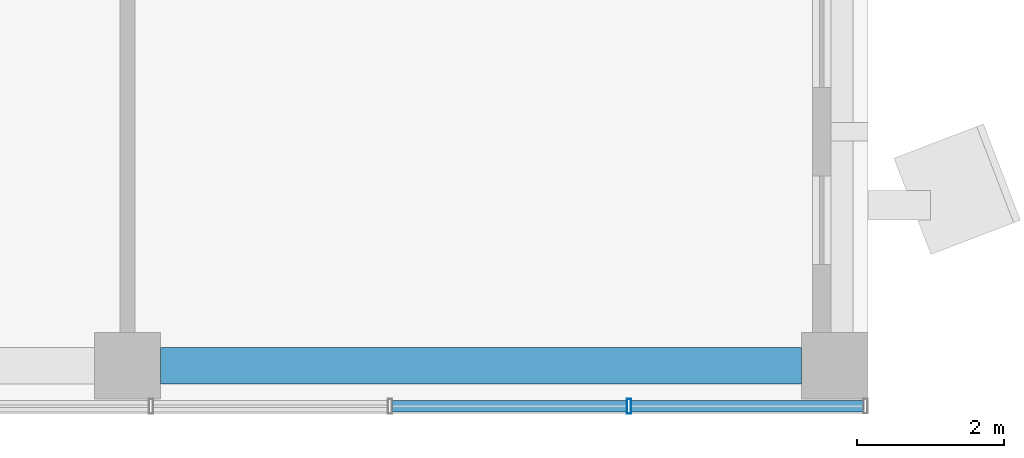
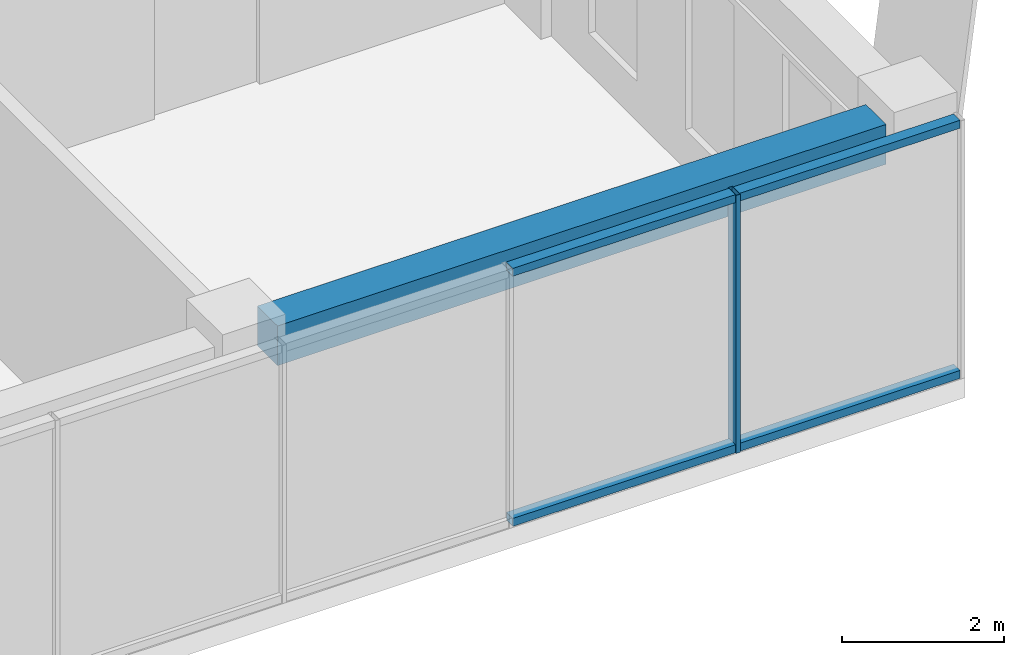
# One storey, part 12 of 38: 5 members, 1 beam, 1 element without a shape of its own.
"""IFC4 building model written with IfcOpenShell, lengths in metres."""

from ifc_helpers import new_model, si_unit, direction, frame, origin, origin_2d, place, context, subcontext, project, spatial, rectangle, hollow_rectangle, extrude, material, layer, layer_set, material_profile, profile_set, type_object, element, aggregate, save


model = new_model("IFC4")

# Units and contexts
model_context = context("Model", 3, precision=1e-05, world=origin(), true_north=direction((0.0, 1.0)))
body_context = subcontext(model_context, "Body", "Model", "MODEL_VIEW")
ifc_project = project(units=[si_unit("LENGTHUNIT", "METRE"), si_unit("AREAUNIT", "SQUARE_METRE"), si_unit("VOLUMEUNIT", "CUBIC_METRE"), si_unit("PLANEANGLEUNIT", "RADIAN"), si_unit("MASSUNIT", "GRAM", prefix="KILO")], contexts=[model_context])

# Site, building, storey
site_placement = place(None, origin())
site = spatial("IfcSite", under=ifc_project, at=site_placement, CompositionType="ELEMENT")
building_placement = place(site_placement, origin())
building = spatial("IfcBuilding", under=site, at=building_placement, Name="Nzadi Deep Aquarium and Research Tower", CompositionType="ELEMENT")
storey_placement = place(building_placement, frame((0.0, 0.0, 52.89990234375)))
storey = spatial("IfcBuildingStorey", under=building, at=storey_placement, Name="L10", CompositionType="ELEMENT", Elevation=52.89990234375)

# Curtain wall, member
ifc_material_1 = material(Name="Aluminium unitised frame", Category="aluminium")
ifc_layer = layer(ifc_material_1, 0.199951171875)
ifc_layer_set = layer_set([ifc_layer], Name="Aluminium unitised frame")
curtain_wall_type = type_object("IfcCurtainWallType", Name="Curtain wall Unitised 200", PredefinedType="NOTDEFINED", material=ifc_layer_set)
curtain_wall_placement = place(storey_placement, origin())
curtain_wall = element("IfcCurtainWall", 1, at=curtain_wall_placement, inside=storey, type_object=curtain_wall_type, Name="Unitised curtain wall blade A south L10", PredefinedType="NOTDEFINED")
ifc_material_2 = material(Name="Aluminium unitised frame", Category="aluminium")
ifc_material_profile_1 = material_profile(ifc_material_2, hollow_rectangle(XDim=0.199951171875, YDim=0.06005859375, WallThickness=0.0048828125, at=origin_2d()))
ifc_profile_set_1 = profile_set([ifc_material_profile_1], Name="Aluminium unitised frame")
member_type_1 = type_object("IfcMemberType", Name="Mullion 60x200 Unitised", PredefinedType="MULLION", material=ifc_profile_set_1)
member_1_placement = place(storey_placement, frame((45.206787109375, -0.10009765625, 0.0), z_axis=(0.0, 0.0, 1.0), x_axis=(0.0, 1.0, 0.0)))
member_1 = element("IfcMember", 2, at=member_1_placement, type_object=member_type_1, Name="CW036 mullion 15", PredefinedType="MULLION", context=body_context, shape_type="SweptSolid", body=[
    extrude(hollow_rectangle(XDim=0.199951171875, YDim=0.06005859375, WallThickness=0.0048828125, at=origin_2d()), origin(), (0.0, 0.0, 1.0), 3.900146484375),
])

# Beam
ifc_material_3 = material(Name="Concrete C35/45", Category="concrete")
ifc_material_profile_2 = material_profile(ifc_material_3, rectangle(XDim=0.5, YDim=0.60009765625, at=origin_2d()))
ifc_profile_set_2 = profile_set([ifc_material_profile_2], Name="Concrete C35/45")
beam_type = type_object("IfcBeamType", Name="RC 500x600", PredefinedType="BEAM", material=ifc_profile_set_2)
beam_placement = place(storey_placement, frame((38.85009765625, 0.449951171875, 3.60009765625), z_axis=(1.0, 0.0, 0.0), x_axis=(0.0, 1.0, 0.0)))
element("IfcBeam", 3, at=beam_placement, inside=storey, type_object=beam_type, Name="B-Z1-L10-L1-5", PredefinedType="BEAM", context=body_context, shape_type="SweptSolid", body=[
    extrude(rectangle(XDim=0.5, YDim=0.60009765625, at=origin_2d()), origin(), (0.0, 0.0, 1.0), 8.699951171875),
])

# Member
ifc_material_4 = material(Name="Aluminium unitised frame", Category="aluminium")
ifc_material_profile_3 = material_profile(ifc_material_4, hollow_rectangle(XDim=0.159912109375, YDim=0.1201171875, WallThickness=0.0048828125, at=origin_2d()))
ifc_profile_set_3 = profile_set([ifc_material_profile_3], Name="Aluminium unitised frame")
member_type_2 = type_object("IfcMemberType", Name="Transom 120x160 Unitised", PredefinedType="MULLION", material=ifc_profile_set_3)
member_2_placement = place(storey_placement, frame((41.993408203125, -0.10009765625, 0.06005859375), z_axis=(1.0, 0.0, 0.0), x_axis=(0.0, 1.0, 0.0)))
member_2 = element("IfcMember", 4, at=member_2_placement, type_object=member_type_2, Name="CW036 transom 14.1", PredefinedType="MULLION", context=body_context, shape_type="SweptSolid", body=[
    extrude(hollow_rectangle(XDim=0.159912109375, YDim=0.1201171875, WallThickness=0.0048828125, at=origin_2d()), origin(), (0.0, 0.0, 1.0), 3.183349609375),
])

member_3_placement = place(storey_placement, frame((41.993408203125, -0.10009765625, 3.840087890625), z_axis=(1.0, 0.0, 0.0), x_axis=(0.0, 1.0, 0.0)))
member_3 = element("IfcMember", 5, at=member_3_placement, type_object=member_type_2, Name="CW036 transom 14.2", PredefinedType="MULLION", context=body_context, shape_type="SweptSolid", body=[
    extrude(hollow_rectangle(XDim=0.159912109375, YDim=0.1201171875, WallThickness=0.0048828125, at=origin_2d()), origin(), (0.0, 0.0, 1.0), 3.183349609375),
])

member_4_placement = place(storey_placement, frame((45.236572265625, -0.10009765625, 0.06005859375), z_axis=(1.0, 0.0, 0.0), x_axis=(0.0, 1.0, 0.0)))
member_4 = element("IfcMember", 6, at=member_4_placement, type_object=member_type_2, Name="CW036 transom 15.1", PredefinedType="MULLION", context=body_context, shape_type="SweptSolid", body=[
    extrude(hollow_rectangle(XDim=0.159912109375, YDim=0.1201171875, WallThickness=0.0048828125, at=origin_2d()), origin(), (0.0, 0.0, 1.0), 3.1533203125),
])

member_5_placement = place(storey_placement, frame((45.236572265625, -0.10009765625, 3.840087890625), z_axis=(1.0, 0.0, 0.0), x_axis=(0.0, 1.0, 0.0)))
member_5 = element("IfcMember", 7, at=member_5_placement, type_object=member_type_2, Name="CW036 transom 15.2", PredefinedType="MULLION", context=body_context, shape_type="SweptSolid", body=[
    extrude(hollow_rectangle(XDim=0.159912109375, YDim=0.1201171875, WallThickness=0.0048828125, at=origin_2d()), origin(), (0.0, 0.0, 1.0), 3.1533203125),
])

aggregate(curtain_wall, [member_1, member_2, member_3, member_4, member_5])

save(model, "model.ifc")
